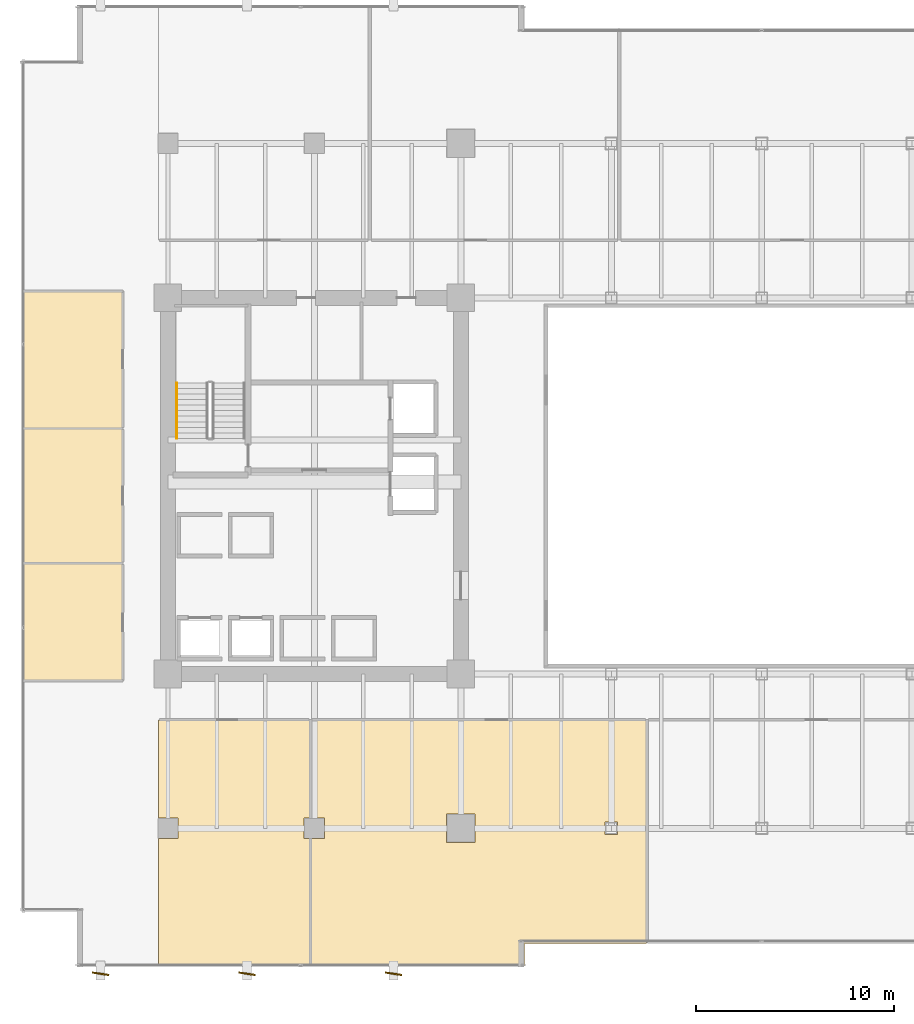
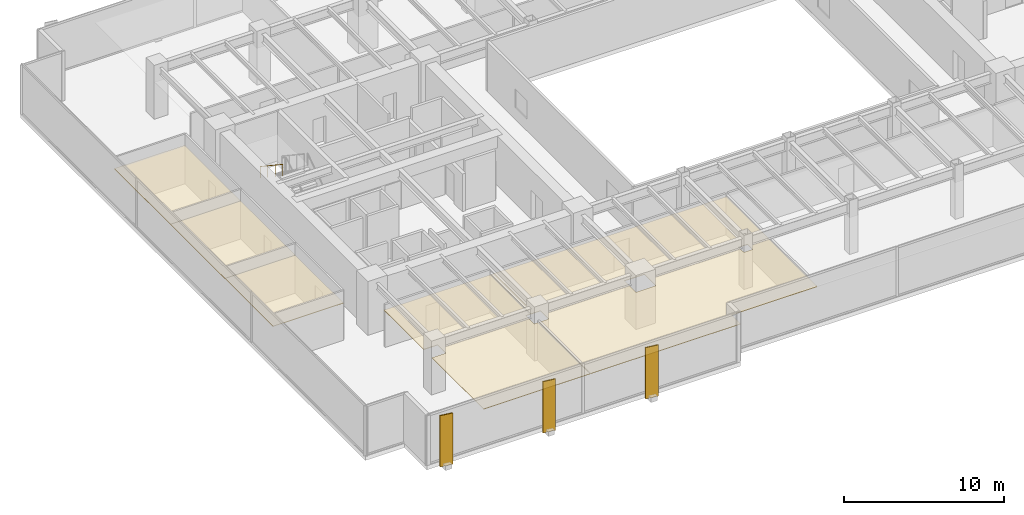
# One storey, part 34 of 37: 5 coverings, 3 shading devices, 1 railing.
"""IFC4 building model written with IfcOpenShell, lengths in metres."""

from ifc_helpers import new_model, si_unit, direction, frame, origin, origin_2d, place, context, subcontext, project, spatial, polyline, rectangle, circle, outline, extrude, source, transform, mapped, material, layer, layer_set, material_profile, profile_set, type_object, type_shapes, element, save


model = new_model("IFC4")

# Units and contexts
model_context = context("Model", 3, precision=1e-05, world=origin(), true_north=direction((0.0, 1.0)))
body_context = subcontext(model_context, "Body", "Model", "MODEL_VIEW")
ifc_project = project(units=[si_unit("LENGTHUNIT", "METRE"), si_unit("AREAUNIT", "SQUARE_METRE"), si_unit("VOLUMEUNIT", "CUBIC_METRE"), si_unit("PLANEANGLEUNIT", "RADIAN"), si_unit("MASSUNIT", "GRAM", prefix="KILO")], contexts=[model_context])

# Site, building, storey
site_placement = place(None, origin())
site = spatial("IfcSite", under=ifc_project, at=site_placement, CompositionType="ELEMENT")
building_placement = place(site_placement, origin())
building = spatial("IfcBuilding", under=site, at=building_placement, Name="Haelvirn Gate Laboratories", CompositionType="ELEMENT")
storey_placement = place(building_placement, frame((0.0, 0.0, 74.39990234375)))
storey = spatial("IfcBuildingStorey", under=building, at=storey_placement, Name="L18", CompositionType="ELEMENT", Elevation=74.39990234375)

# Coverings
ifc_material_1 = material(Name="Micro-perforated acoustic mineral-fibre laboratory ceiling")
ifc_layer = layer(ifc_material_1, 0.0400390625, Name="COV-CEIL-ACT")
ifc_layer_set = layer_set([ifc_layer], Name="Micro-perforated acoustic mineral-fibre laboratory ceiling")
covering_type = type_object("IfcCoveringType", Name="COV-CEIL-ACT", PredefinedType="CEILING", material=ifc_layer_set)
covering_1_placement = place(storey_placement, frame((0.0, 0.0, 2.81005859375)))
element("IfcCovering", 1, at=covering_1_placement, inside=storey, type_object=covering_type, Name="L18 Laboratory Acoustic Ceiling CEIL-SP-L18-S-01", PredefinedType="CEILING", context=body_context, shape_type="SweptSolid", body=[
    extrude(outline(polyline([(6.919921875, 0.050048828125), (6.919921875, 6.47998046875), (7.919921875, 6.47998046875), (7.919921875, 7.52001953125), (6.919921875, 7.52001953125), (6.919921875, 12.47998046875), (14.580078125, 12.47998046875), (14.580078125, 7.52001953125), (14.280029296875, 7.52001953125), (14.280029296875, 6.47998046875), (14.580078125, 6.47998046875), (14.580078125, 0.050048828125), (6.919921875, 0.050048828125)])), origin(), (0.0, 0.0, 1.0), 0.0400390625),
])
covering_2_placement = place(storey_placement, frame((0.0, 0.0, 2.81005859375)))
element("IfcCovering", 2, at=covering_2_placement, inside=storey, type_object=covering_type, Name="L18 Laboratory Acoustic Ceiling CEIL-SP-L18-S-02", PredefinedType="CEILING", context=body_context, shape_type="SweptSolid", body=[
    extrude(outline(polyline([(31.580078125, 1.179931640625), (25.419921875, 1.179931640625), (25.419921875, 0.050048828125), (14.6201171875, 0.050048828125), (14.6201171875, 6.47998046875), (15.320068359375, 6.47998046875), (15.320068359375, 7.52001953125), (14.6201171875, 7.52001953125), (14.6201171875, 12.47998046875), (31.580078125, 12.47998046875), (31.580078125, 1.179931640625)]), holes=[polyline([(21.47998046875, 7.719970703125), (21.47998046875, 6.280029296875), (22.919921875, 6.280029296875), (22.919921875, 7.719970703125), (21.47998046875, 7.719970703125)]), polyline([(30.1201171875, 7.320068359375), (29.47998046875, 7.320068359375), (29.47998046875, 6.679931640625), (30.1201171875, 6.679931640625), (30.1201171875, 7.320068359375)])]), origin(), (0.0, 0.0, 1.0), 0.0400390625),
])
covering_3_placement = place(storey_placement, frame((0.0, 0.0, 2.81005859375)))
element("IfcCovering", 3, at=covering_3_placement, inside=storey, type_object=covering_type, Name="L18 Laboratory Acoustic Ceiling CEIL-SP-L18-WCELL-01", PredefinedType="CEILING", context=body_context, shape_type="SweptSolid", body=[
    extrude(outline(polyline([(0.050048828125, 20.39990234375), (5.1201171875, 20.39990234375), (5.1201171875, 14.405029296875), (0.050048828125, 14.405029296875), (0.050048828125, 20.39990234375)])), origin(), (0.0, 0.0, 1.0), 0.0400390625),
])
covering_4_placement = place(storey_placement, frame((0.0, 0.0, 2.81005859375)))
element("IfcCovering", 4, at=covering_4_placement, inside=storey, type_object=covering_type, Name="L18 Laboratory Acoustic Ceiling CEIL-SP-L18-WCELL-02", PredefinedType="CEILING", context=body_context, shape_type="SweptSolid", body=[
    extrude(outline(polyline([(0.050048828125, 27.199951171875), (5.1201171875, 27.199951171875), (5.1201171875, 20.39990234375), (0.050048828125, 20.39990234375), (0.050048828125, 27.199951171875)])), origin(), (0.0, 0.0, 1.0), 0.0400390625),
])
covering_5_placement = place(storey_placement, frame((0.0, 0.0, 2.81005859375)))
element("IfcCovering", 5, at=covering_5_placement, inside=storey, type_object=covering_type, Name="L18 Laboratory Acoustic Ceiling CEIL-SP-L18-WCELL-03", PredefinedType="CEILING", context=body_context, shape_type="SweptSolid", body=[
    extrude(outline(polyline([(0.050048828125, 34.195068359375), (5.1201171875, 34.195068359375), (5.1201171875, 27.199951171875), (0.050048828125, 27.199951171875), (0.050048828125, 34.195068359375)])), origin(), (0.0, 0.0, 1.0), 0.0400390625),
])

# Shading devices
ifc_material_2 = material(Name="Extruded aluminium 6063-T6 (anodised bronze)", Category="aluminium")
ifc_material_profile = material_profile(ifc_material_2, rectangle(XDim=0.074951171875, YDim=0.85009765625, at=origin_2d()), Name="FIN-850x75")
ifc_profile_set = profile_set([ifc_material_profile], Name="Extruded aluminium 6063-T6 (anodised bronze)")
shading_device_type = type_object("IfcShadingDeviceType", Name="SHD-FIN-850", PredefinedType="USERDEFINED", material=ifc_profile_set)
shared_shape_1 = source(origin(), body_context, "Body", "SweptSolid", [
    extrude(rectangle(XDim=0.074951171875, YDim=0.85009765625, at=origin_2d()), origin(), (0.0, 0.0, 1.0), 3.900146484375),
])
type_shapes(shading_device_type, [shared_shape_1])
for number, where, z_axis, x_axis, name in (
    (6, (4.0, -0.344970703125, -0.179931640625), (0.0, 0.0, 1.0), (0.146083028562, 0.989272332963, 0.0), "L18 Fluted Bronze Vertical Fin S01"),
    (7, (11.39990234375, -0.344970703125, -0.179931640625), (0.0, 0.0, 1.0), (0.146083028562, 0.989272332963, 0.0), "L18 Fluted Bronze Vertical Fin S02"),
    (8, (18.800048828125, -0.344970703125, -0.179931640625), (0.0, 0.0, 1.0), (0.146083028562, 0.989272332963, 0.0), "L18 Fluted Bronze Vertical Fin S03"),
):
    element("IfcShadingDevice", number, at=place(storey_placement, frame(where, z_axis=z_axis, x_axis=x_axis)), inside=storey, type_object=shading_device_type, Name=name, ObjectType="FIN", PredefinedType="USERDEFINED", context=body_context, shape_type="MappedRepresentation", body=[
        mapped(shared_shape_1, transform((0.0, 0.0, 0.0), scale=1.0)),
    ])

# Railing
ifc_material_3 = material(Name="Brushed stainless steel 316L", Category="steel")
railing_type = type_object("IfcRailingType", Name="RL-HAND-920", PredefinedType="HANDRAIL", material=ifc_material_3)
shared_shape_2 = source(origin(), body_context, "Body", "SweptSolid", [
    extrude(circle(Radius=0.02392578125, at=origin_2d()), frame((0.0, 0.0, 0.8759765625), z_axis=(0.0, -0.832485552168, 0.554046753832), x_axis=(1.0, 0.0, 0.0)), (0.0, 0.0, 1.0), 3.363525390625),
    extrude(circle(Radius=0.02099609375, at=origin_2d()), origin(), (0.0, 0.0, 1.0), 0.851806640625),
    extrude(circle(Radius=0.02099609375, at=origin_2d()), frame((0.0, -0.933349609375, 0.62109375)), (0.0, 0.0, 1.0), 0.851806640625),
    extrude(circle(Radius=0.02099609375, at=origin_2d()), frame((0.0, -1.86669921875, 1.242431640625)), (0.0, 0.0, 1.0), 0.851806640625),
    extrude(circle(Radius=0.02099609375, at=origin_2d()), frame((0.0, -2.800048828125, 1.863525390625)), (0.0, 0.0, 1.0), 0.851806640625),
])
type_shapes(railing_type, [shared_shape_2])
railing_placement = place(storey_placement, frame((7.85009765625, 29.5, 2.236572265625)))
element("IfcRailing", 9, at=railing_placement, inside=storey, type_object=railing_type, Name="L18 ST1 stair handrail 2", PredefinedType="HANDRAIL", context=body_context, shape_type="MappedRepresentation", body=[
    mapped(shared_shape_2, transform((0.0, 0.0, 0.0), scale=1.0)),
])

save(model, "model.ifc")
